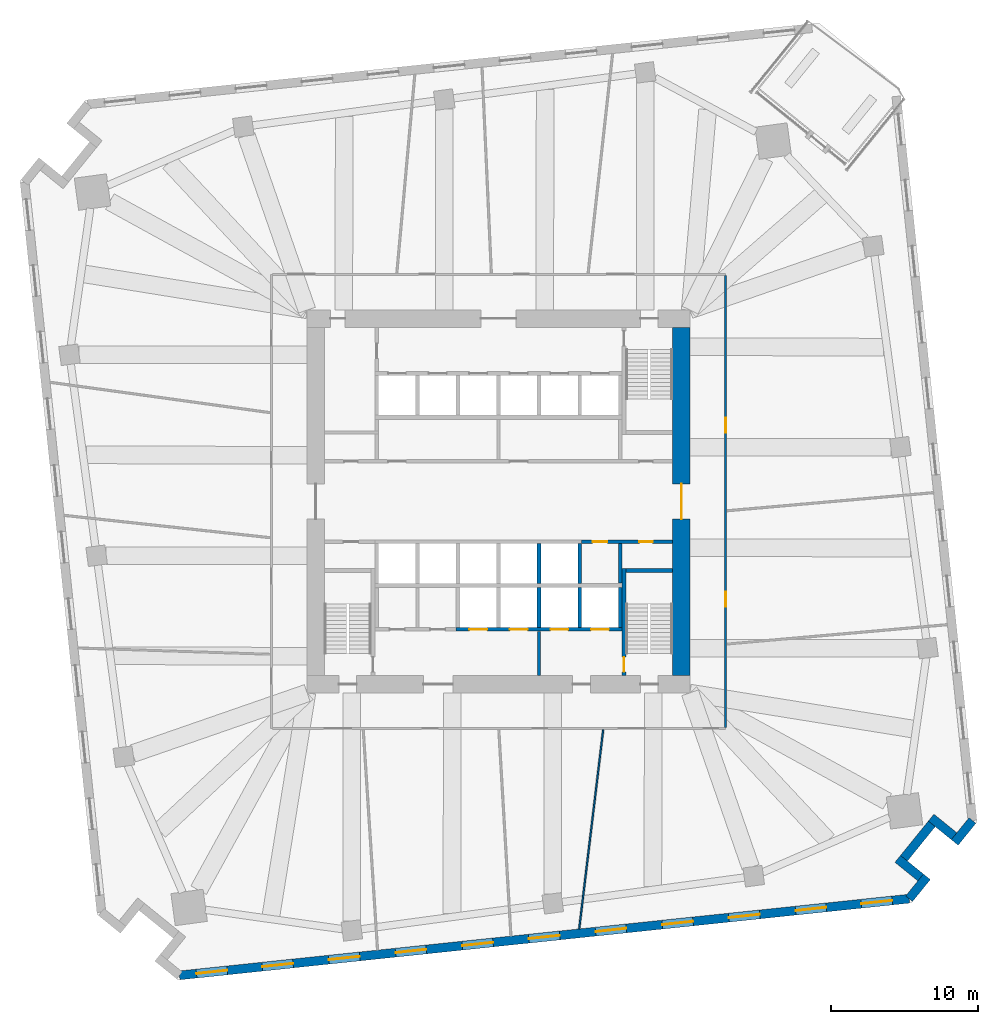
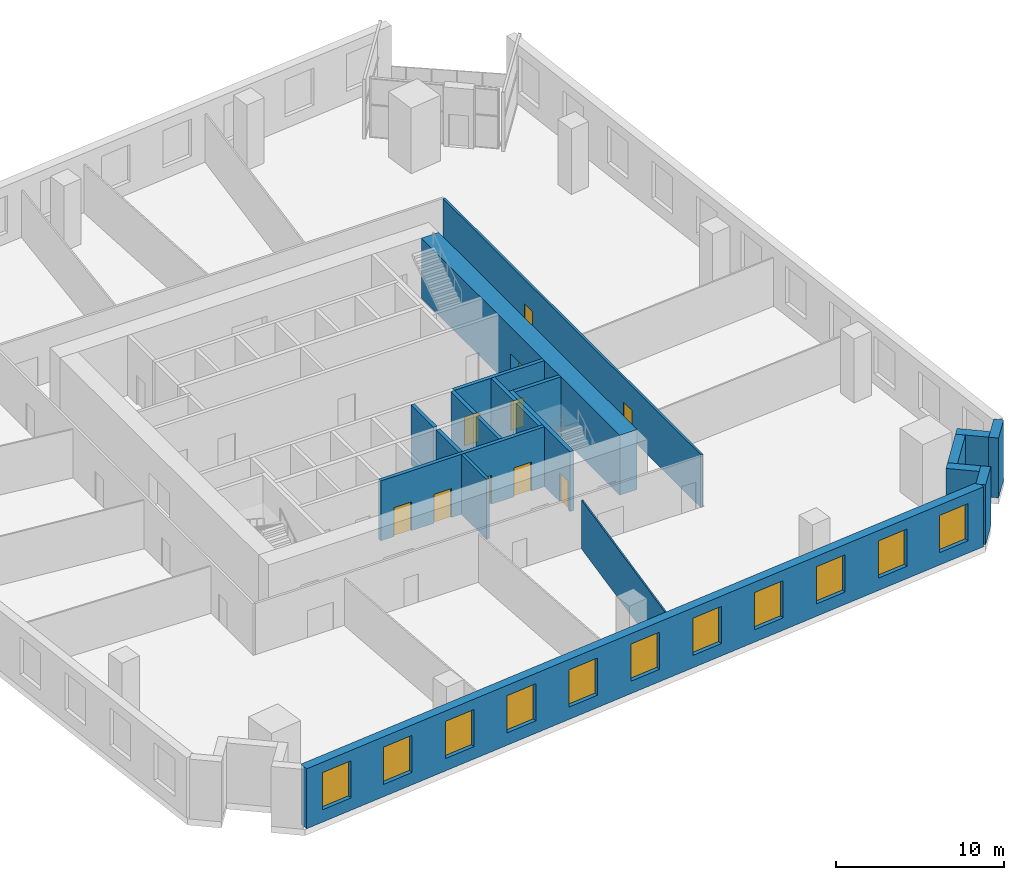
# One storey, part 5 of 10: 20 walls, 11 windows, 10 doors, 21 openings.
"""IFC4 building model written with IfcOpenShell, lengths in metres."""

from ifc_helpers import new_model, si_unit, direction, frame, frame_2d, origin, place, context, subcontext, project, spatial, rectangle, extrude, material, layer, layer_set, type_object, element, fill, save


model = new_model("IFC4")

# Units and contexts
model_context = context("Model", 3, precision=1e-05, world=origin(), true_north=direction((0.0, 1.0)))
body_context = subcontext(model_context, "Body", "Model", "MODEL_VIEW")
ifc_project = project(units=[si_unit("LENGTHUNIT", "METRE"), si_unit("AREAUNIT", "SQUARE_METRE"), si_unit("VOLUMEUNIT", "CUBIC_METRE"), si_unit("PLANEANGLEUNIT", "RADIAN"), si_unit("MASSUNIT", "GRAM", prefix="KILO")], contexts=[model_context])

# Site, building, storey
site_placement = place(None, origin())
site = spatial("IfcSite", under=ifc_project, at=site_placement, CompositionType="ELEMENT")
building_placement = place(site_placement, origin())
building = spatial("IfcBuilding", under=site, at=building_placement, Name="Dilmun Exchange Tower", CompositionType="ELEMENT")
storey_placement = place(building_placement, frame((0.0, 0.0, 41.699951171875)))
storey = spatial("IfcBuildingStorey", under=building, at=storey_placement, Name="L09", CompositionType="ELEMENT", Elevation=41.699951171875)

# Walls
ifc_material_1 = material(Name="Concrete C40/50", Category="concrete")
ifc_layer_1 = layer(ifc_material_1, 0.199951171875)
ifc_layer_set_1 = layer_set([ifc_layer_1], Name="Concrete C40/50")
wall_type_1 = type_object("IfcWallType", Name="Core partition wall 200", PredefinedType="PARTITIONING", material=ifc_layer_set_1)
wall_1_placement = place(storey_placement, frame((2.75, -11.794921875, 0.0), z_axis=(0.0, 0.0, 1.0), x_axis=(0.0, 1.0, 0.0)))
element("IfcWall", 1, at=wall_1_placement, inside=storey, type_object=wall_type_1, Name="L09 core partition wall 01", PredefinedType="PARTITIONING", context=body_context, shape_type="SweptSolid", body=[
    extrude(rectangle(XDim=2.989990234375, YDim=0.199951171875, at=frame_2d((1.4951171875, 0.0))), origin(), (0.0, 0.0, 1.0), 4.35009765625),
])
ifc_layer_2 = layer(ifc_material_1, 0.25)
ifc_layer_set_2 = layer_set([ifc_layer_2], Name="Concrete C40/50")
wall_type_2 = type_object("IfcWallType", Name="Core partition wall 250", PredefinedType="PARTITIONING", material=ifc_layer_set_2)
wall_2_placement = place(storey_placement, frame((8.25, -5.544921875, 0.0), z_axis=(0.0, 0.0, 1.0), x_axis=(0.0, 1.0, 0.0)))
element("IfcWall", 2, at=wall_2_placement, inside=storey, type_object=wall_type_2, Name="L09 core partition wall 05", PredefinedType="PARTITIONING", context=body_context, shape_type="SweptSolid", body=[
    extrude(rectangle(XDim=2.68994140625, YDim=0.25, at=frame_2d((1.344970703125, 0.0))), origin(), (0.0, 0.0, 1.0), 4.35009765625),
])

# Wall, openings, doors
wall_3_placement = place(storey_placement, frame((5.6298828125, -2.72509765625, 0.0), z_axis=(0.0, 0.0, 1.0), x_axis=(1.0, 0.0, 0.0)))
wall_3 = element("IfcWall", 3, at=wall_3_placement, inside=storey, type_object=wall_type_2, Name="L09 core partition wall 07", PredefinedType="PARTITIONING", context=body_context, shape_type="SweptSolid", body=[
    extrude(rectangle(XDim=6.1650390625, YDim=0.25, at=frame_2d((3.08251953125, 0.0))), origin(), (0.0, 0.0, 1.0), 4.35009765625),
])
opening_1_placement = place(wall_3_placement, frame((0.7451171875, 0.0, 0.0)))
opening_1 = element("IfcOpeningElement", 4, at=opening_1_placement, cuts=wall_3, Name="Opening CD4", PredefinedType="OPENING", context=body_context, shape_type="SweptSolid", body=[
    extrude(rectangle(XDim=1.0, YDim=2.10009765625, at=frame_2d((0.5, 1.050048828125))), frame((0.0, 0.135009765625, 0.0), z_axis=(0.0, -1.0, 0.0), x_axis=(1.0, 0.0, 0.0)), (0.0, 0.0, 1.0), 0.27001953125),
])
opening_2_placement = place(wall_3_placement, frame((3.919921875, 0.0, 0.0)))
opening_2 = element("IfcOpeningElement", 5, at=opening_2_placement, cuts=wall_3, Name="Opening CD6", PredefinedType="OPENING", context=body_context, shape_type="SweptSolid", body=[
    extrude(rectangle(XDim=0.89990234375, YDim=2.10009765625, at=frame_2d((0.449951171875, 1.050048828125))), frame((0.0, 0.135009765625, 0.0), z_axis=(0.0, -1.0, 0.0), x_axis=(1.0, 0.0, 0.0)), (0.0, 0.0, 1.0), 0.27001953125),
])
ifc_material_2 = material(Name="Fire-rated steel door set", Category="steel")
door_type_1 = type_object("IfcDoorType", Name="Core room door 1000x2100", OperationType="SINGLE_SWING_LEFT", PredefinedType="DOOR", material=ifc_material_2)
door_1_placement = place(opening_1_placement, origin())
door_1 = element("IfcDoor", 6, at=door_1_placement, inside=storey, type_object=door_type_1, Name="L09 door Cleaners' store", OperationType="SINGLE_SWING_RIGHT", OverallHeight=2.10009765625, OverallWidth=1.0, PredefinedType="DOOR", context=body_context, shape_type="SweptSolid", body=[
    extrude(rectangle(XDim=1.0, YDim=2.10009765625, at=frame_2d((0.5, 1.050048828125))), frame((0.0, 0.02490234375, 0.0), z_axis=(0.0, -1.0, 0.0), x_axis=(1.0, 0.0, 0.0)), (0.0, 0.0, 1.0), 0.050048828125),
])
fill(opening_1, door_1)
door_type_2 = type_object("IfcDoorType", Name="Core room door 900x2100", OperationType="SINGLE_SWING_LEFT", PredefinedType="DOOR", material=ifc_material_2)
door_2_placement = place(opening_2_placement, origin())
door_2 = element("IfcDoor", 7, at=door_2_placement, inside=storey, type_object=door_type_2, Name="L09 door Comms riser", OperationType="SINGLE_SWING_RIGHT", OverallHeight=2.10009765625, OverallWidth=0.89990234375, PredefinedType="DOOR", context=body_context, shape_type="SweptSolid", body=[
    extrude(rectangle(XDim=0.89990234375, YDim=2.10009765625, at=frame_2d((0.449951171875, 1.050048828125))), frame((0.0, 0.02490234375, 0.0), z_axis=(0.0, -1.0, 0.0), x_axis=(1.0, 0.0, 0.0)), (0.0, 0.0, 1.0), 0.050048828125),
])
fill(opening_2, door_2)

# Wall, opening, door
ifc_material_3 = material(Name="Concrete C80/95", Category="concrete")
ifc_layer_3 = layer(ifc_material_3, 1.199951171875)
ifc_layer_set_3 = layer_set([ifc_layer_3], Name="Concrete C80/95")
wall_type_3 = type_object("IfcWallType", Name="Core shear wall 1200 Concrete C80/95", PredefinedType="SHEAR", material=ifc_layer_set_3)
wall_4_placement = place(storey_placement, frame((12.39990234375, -11.800048828125, 0.0), z_axis=(0.0, 0.0, 1.0), x_axis=(0.0, 1.0, 0.0)))
wall_4 = element("IfcWall", 8, at=wall_4_placement, inside=storey, type_object=wall_type_3, Name="L09 core shear wall E", PredefinedType="SHEAR", context=body_context, shape_type="SweptSolid", body=[
    extrude(rectangle(XDim=23.60009765625, YDim=1.199951171875, at=frame_2d((11.800048828125, 0.0))), origin(), (0.0, 0.0, 1.0), 4.35009765625),
])
opening_3_placement = place(wall_4_placement, frame((10.60009765625, 0.0, 0.0)))
opening_3 = element("IfcOpeningElement", 9, at=opening_3_placement, cuts=wall_4, Name="Opening CD1", PredefinedType="OPENING", context=body_context, shape_type="SweptSolid", body=[
    extrude(rectangle(XDim=2.39990234375, YDim=2.39990234375, at=frame_2d((1.199951171875, 1.199951171875))), frame((0.0, 0.60986328125, 0.0), z_axis=(0.0, -1.0, 0.0), x_axis=(1.0, 0.0, 0.0)), (0.0, 0.0, 1.0), 1.219970703125),
])
door_type_3 = type_object("IfcDoorType", Name="Core lobby door 2400x2400", OperationType="DOUBLE_DOOR_DOUBLE_SWING", PredefinedType="DOOR", material=ifc_material_2)
door_3_placement = place(opening_3_placement, origin())
door_3 = element("IfcDoor", 10, at=door_3_placement, inside=storey, type_object=door_type_3, Name="L09 door Central lift lobby", OperationType="SINGLE_SWING_LEFT", OverallHeight=2.39990234375, OverallWidth=2.39990234375, PredefinedType="DOOR", context=body_context, shape_type="SweptSolid", body=[
    extrude(rectangle(XDim=2.39990234375, YDim=2.39990234375, at=frame_2d((1.199951171875, 1.199951171875))), frame((0.0, 0.02490234375, 0.0), z_axis=(0.0, -1.0, 0.0), x_axis=(1.0, 0.0, 0.0)), (0.0, 0.0, 1.0), 0.050048828125),
])
fill(opening_3, door_3)

# Wall, openings, doors
ifc_material_4 = material(Name="Corridor wall 150")
ifc_layer_4 = layer(ifc_material_4, 0.14990234375)
ifc_layer_set_4 = layer_set([ifc_layer_4], Name="Corridor wall 150")
wall_type_4 = type_object("IfcWallType", Name="Corridor wall 150", PredefinedType="PARTITIONING", material=ifc_layer_set_4)
wall_5_placement = place(storey_placement, frame((15.39990234375, -15.324951171875, 0.0), z_axis=(0.0, 0.0, 1.0), x_axis=(0.0, 1.0, 0.0)))
wall_5 = element("IfcWall", 11, at=wall_5_placement, inside=storey, type_object=wall_type_4, Name="Corridor wall", PredefinedType="PARTITIONING", context=body_context, shape_type="SweptSolid", body=[
    extrude(rectangle(XDim=30.64990234375, YDim=0.14990234375, at=frame_2d((15.324951171875, 0.0))), origin(), (0.0, 0.0, 1.0), 3.85009765625),
])
opening_4_placement = place(wall_5_placement, frame((19.985595703125, 0.0, 0.0)))
opening_4 = element("IfcOpeningElement", 12, at=opening_4_placement, cuts=wall_5, Name="Opening TF08-D12", PredefinedType="OPENING", context=body_context, shape_type="SweptSolid", body=[
    extrude(rectangle(XDim=1.0, YDim=2.10009765625, at=frame_2d((0.5, 1.050048828125))), frame((0.0, 0.0849609375, 0.0), z_axis=(0.0, -1.0, 0.0), x_axis=(1.0, 0.0, 0.0)), (0.0, 0.0, 1.0), 0.169921875),
])
opening_5_placement = place(wall_5_placement, frame((8.197021484375, 0.0, 0.0)))
opening_5 = element("IfcOpeningElement", 13, at=opening_5_placement, cuts=wall_5, Name="Opening TF08-D15", PredefinedType="OPENING", context=body_context, shape_type="SweptSolid", body=[
    extrude(rectangle(XDim=1.0, YDim=2.10009765625, at=frame_2d((0.5, 1.050048828125))), frame((0.0, 0.0849609375, 0.0), z_axis=(0.0, -1.0, 0.0), x_axis=(1.0, 0.0, 0.0)), (0.0, 0.0, 1.0), 0.169921875),
])
ifc_material_5 = material(Name="Fire door 1000 x 2100")
door_type_4 = type_object("IfcDoorType", Name="Fire door 1000 x 2100", OperationType="NOTDEFINED", PredefinedType="DOOR", material=ifc_material_5)
door_4_placement = place(opening_4_placement, frame((1.0, 0.0, 0.0), z_axis=(0.0, 0.0, 1.0), x_axis=(-1.0, 0.0, 0.0)))
door_4 = element("IfcDoor", 14, at=door_4_placement, inside=storey, type_object=door_type_4, Name="Door TF08-D12", OperationType="SINGLE_SWING_RIGHT", OverallHeight=2.10009765625, OverallWidth=1.0, PredefinedType="DOOR", context=body_context, shape_type="SweptSolid", body=[
    extrude(rectangle(XDim=1.0, YDim=2.10009765625, at=frame_2d((0.5, 1.050048828125))), frame((0.0, 0.02490234375, 0.0), z_axis=(0.0, -1.0, 0.0), x_axis=(1.0, 0.0, 0.0)), (0.0, 0.0, 1.0), 0.050048828125),
])
fill(opening_4, door_4)
door_5_placement = place(opening_5_placement, frame((1.0, 0.0, 0.0), z_axis=(0.0, 0.0, 1.0), x_axis=(-1.0, 0.0, 0.0)))
door_5 = element("IfcDoor", 15, at=door_5_placement, inside=storey, type_object=door_type_4, Name="Door TF08-D15", OperationType="SINGLE_SWING_LEFT", OverallHeight=2.10009765625, OverallWidth=1.0, PredefinedType="DOOR", context=body_context, shape_type="SweptSolid", body=[
    extrude(rectangle(XDim=1.0, YDim=2.10009765625, at=frame_2d((0.5, 1.050048828125))), frame((0.0, 0.02490234375, 0.0), z_axis=(0.0, -1.0, 0.0), x_axis=(1.0, 0.0, 0.0)), (0.0, 0.0, 1.0), 0.050048828125),
])
fill(opening_5, door_5)

# Walls
ifc_layer_5 = layer(ifc_material_1, 0.25)
ifc_layer_set_5 = layer_set([ifc_layer_5], Name="Concrete C40/50")
wall_type_5 = type_object("IfcWallType", Name="Lift shaft wall 250", PredefinedType="SOLIDWALL", material=ifc_layer_set_5)
for number, where, z_axis, x_axis, name in (
    (16, (2.75, -5.550048828125, 0.0), (0.0, 0.0, 1.0), (0.0, 1.0, 0.0), "L09 lift shaft divider S14"),
    (17, (5.5, -5.550048828125, 0.0), (0.0, 0.0, 1.0), (0.0, 1.0, 0.0), "L09 lift shaft divider S15"),
):
    element("IfcWall", number, at=place(storey_placement, frame(where, z_axis=z_axis, x_axis=x_axis)), inside=storey, type_object=wall_type_5, Name=name, PredefinedType="SOLIDWALL", context=body_context, shape_type="SweptSolid", body=[
        extrude(rectangle(XDim=2.699951171875, YDim=0.25, at=frame_2d((1.35009765625, 0.0))), origin(), (0.0, 0.0, 1.0), 4.35009765625),
    ])

# Wall, openings, doors
wall_6_placement = place(storey_placement, frame((-2.875, -8.675048828125, 0.0), z_axis=(0.0, 0.0, 1.0), x_axis=(1.0, 0.0, 0.0)))
wall_6 = element("IfcWall", 18, at=wall_6_placement, inside=storey, type_object=wall_type_5, Name="L09 lift shaft front wall S2", PredefinedType="SOLIDWALL", context=body_context, shape_type="SweptSolid", body=[
    extrude(rectangle(XDim=11.25, YDim=0.25, at=frame_2d((5.625, 0.0))), origin(), (0.0, 0.0, 1.0), 4.35009765625),
])
opening_6_placement = place(wall_6_placement, frame((0.89990234375, 0.0, 0.0)))
opening_6 = element("IfcOpeningElement", 19, at=opening_6_placement, cuts=wall_6, Name="Opening LD", PredefinedType="OPENING", context=body_context, shape_type="SweptSolid", body=[
    extrude(rectangle(XDim=1.199951171875, YDim=2.10009765625, at=frame_2d((0.60009765625, 1.050048828125))), frame((0.0, 0.135009765625, 0.0), z_axis=(0.0, -1.0, 0.0), x_axis=(1.0, 0.0, 0.0)), (0.0, 0.0, 1.0), 0.27001953125),
])
opening_7_placement = place(wall_6_placement, frame((3.64990234375, 0.0, 0.0)))
opening_7 = element("IfcOpeningElement", 20, at=opening_7_placement, cuts=wall_6, Name="Opening LD", PredefinedType="OPENING", context=body_context, shape_type="SweptSolid", body=[
    extrude(rectangle(XDim=1.199951171875, YDim=2.10009765625, at=frame_2d((0.60009765625, 1.050048828125))), frame((0.0, 0.135009765625, 0.0), z_axis=(0.0, -1.0, 0.0), x_axis=(1.0, 0.0, 0.0)), (0.0, 0.0, 1.0), 0.27001953125),
])
opening_8_placement = place(wall_6_placement, frame((6.39990234375, 0.0, 0.0)))
opening_8 = element("IfcOpeningElement", 21, at=opening_8_placement, cuts=wall_6, Name="Opening LD", PredefinedType="OPENING", context=body_context, shape_type="SweptSolid", body=[
    extrude(rectangle(XDim=1.199951171875, YDim=2.10009765625, at=frame_2d((0.60009765625, 1.050048828125))), frame((0.0, 0.135009765625, 0.0), z_axis=(0.0, -1.0, 0.0), x_axis=(1.0, 0.0, 0.0)), (0.0, 0.0, 1.0), 0.27001953125),
])
opening_9_placement = place(wall_6_placement, frame((9.14990234375, 0.0, 0.0)))
opening_9 = element("IfcOpeningElement", 22, at=opening_9_placement, cuts=wall_6, Name="Opening LD", PredefinedType="OPENING", context=body_context, shape_type="SweptSolid", body=[
    extrude(rectangle(XDim=1.199951171875, YDim=2.10009765625, at=frame_2d((0.60009765625, 1.050048828125))), frame((0.0, 0.135009765625, 0.0), z_axis=(0.0, -1.0, 0.0), x_axis=(1.0, 0.0, 0.0)), (0.0, 0.0, 1.0), 0.27001953125),
])
door_type_5 = type_object("IfcDoorType", Name="Lift landing door 1200x2100", OperationType="DOUBLE_DOOR_SLIDING", PredefinedType="DOOR", material=ifc_material_2)
door_6_placement = place(opening_6_placement, origin())
door_6 = element("IfcDoor", 23, at=door_6_placement, inside=storey, type_object=door_type_5, Name="L09 landing door SV1", OperationType="DOUBLE_DOOR_SLIDING", OverallHeight=2.10009765625, OverallWidth=1.199951171875, PredefinedType="DOOR", context=body_context, shape_type="SweptSolid", body=[
    extrude(rectangle(XDim=1.199951171875, YDim=2.10009765625, at=frame_2d((0.60009765625, 1.050048828125))), frame((0.0, 0.02490234375, 0.0), z_axis=(0.0, -1.0, 0.0), x_axis=(1.0, 0.0, 0.0)), (0.0, 0.0, 1.0), 0.050048828125),
])
fill(opening_6, door_6)
door_7_placement = place(opening_7_placement, origin())
door_7 = element("IfcDoor", 24, at=door_7_placement, inside=storey, type_object=door_type_5, Name="L09 landing door SV2", OperationType="DOUBLE_DOOR_SLIDING", OverallHeight=2.10009765625, OverallWidth=1.199951171875, PredefinedType="DOOR", context=body_context, shape_type="SweptSolid", body=[
    extrude(rectangle(XDim=1.199951171875, YDim=2.10009765625, at=frame_2d((0.60009765625, 1.050048828125))), frame((0.0, 0.02490234375, 0.0), z_axis=(0.0, -1.0, 0.0), x_axis=(1.0, 0.0, 0.0)), (0.0, 0.0, 1.0), 0.050048828125),
])
fill(opening_7, door_7)
door_8_placement = place(opening_8_placement, origin())
door_8 = element("IfcDoor", 25, at=door_8_placement, inside=storey, type_object=door_type_5, Name="L09 landing door FF1", OperationType="DOUBLE_DOOR_SLIDING", OverallHeight=2.10009765625, OverallWidth=1.199951171875, PredefinedType="DOOR", context=body_context, shape_type="SweptSolid", body=[
    extrude(rectangle(XDim=1.199951171875, YDim=2.10009765625, at=frame_2d((0.60009765625, 1.050048828125))), frame((0.0, 0.02490234375, 0.0), z_axis=(0.0, -1.0, 0.0), x_axis=(1.0, 0.0, 0.0)), (0.0, 0.0, 1.0), 0.050048828125),
])
fill(opening_8, door_8)
door_9_placement = place(opening_9_placement, origin())
door_9 = element("IfcDoor", 26, at=door_9_placement, inside=storey, type_object=door_type_5, Name="L09 landing door FF2", OperationType="DOUBLE_DOOR_SLIDING", OverallHeight=2.10009765625, OverallWidth=1.199951171875, PredefinedType="DOOR", context=body_context, shape_type="SweptSolid", body=[
    extrude(rectangle(XDim=1.199951171875, YDim=2.10009765625, at=frame_2d((0.60009765625, 1.050048828125))), frame((0.0, 0.02490234375, 0.0), z_axis=(0.0, -1.0, 0.0), x_axis=(1.0, 0.0, 0.0)), (0.0, 0.0, 1.0), 0.050048828125),
])
fill(opening_9, door_9)

# Walls
for number, where, z_axis, x_axis, name in (
    (27, (2.75, -8.550048828125, 0.0), (0.0, 0.0, 1.0), (0.0, 1.0, 0.0), "L09 lift shaft divider S24"),
    (28, (5.5, -8.550048828125, 0.0), (0.0, 0.0, 1.0), (0.0, 1.0, 0.0), "L09 lift shaft divider S25"),
    (29, (8.25, -8.550048828125, 0.0), (0.0, 0.0, 1.0), (0.0, 1.0, 0.0), "L09 lift shaft divider S26"),
):
    element("IfcWall", number, at=place(storey_placement, frame(where, z_axis=z_axis, x_axis=x_axis)), inside=storey, type_object=wall_type_5, Name=name, PredefinedType="SOLIDWALL", context=body_context, shape_type="SweptSolid", body=[
        extrude(rectangle(XDim=2.699951171875, YDim=0.25, at=frame_2d((1.35009765625, 0.0))), origin(), (0.0, 0.0, 1.0), 4.35009765625),
    ])
ifc_material_6 = material(Name="Partition 100")
ifc_layer_6 = layer(ifc_material_6, 0.10009765625)
ifc_layer_set_6 = layer_set([ifc_layer_6], Name="Partition 100")
wall_type_6 = type_object("IfcWallType", Name="Partition 100", PredefinedType="PARTITIONING", material=ifc_layer_set_6)
wall_7_placement = place(storey_placement, frame((5.468994140625, -28.985107421875, 0.0), z_axis=(0.0, 0.0, 1.0), x_axis=(0.119701505931, 0.992809926158, 0.0)))
element("IfcWall", 30, at=wall_7_placement, inside=storey, type_object=wall_type_6, Name="Partition", PredefinedType="PARTITIONING", context=body_context, shape_type="SweptSolid", body=[
    extrude(rectangle(XDim=13.60205078125, YDim=0.10009765625, at=frame_2d((6.801025390625, 0.0))), origin(), (0.0, 0.0, 1.0), 3.550048828125),
])

# Wall, openings, windows
ifc_material_7 = material(Name="Precast concrete C50/60", Category="concrete")
ifc_layer_7 = layer(ifc_material_7, 0.60009765625)
ifc_layer_set_7 = layer_set([ifc_layer_7], Name="Precast concrete C50/60")
wall_type_7 = type_object("IfcWallType", Name="Precast stone-clad wall 600", PredefinedType="STANDARD", material=ifc_layer_set_7)
wall_8_placement = place(storey_placement, frame((-21.635009765625, -32.137451171875, 0.0), z_axis=(0.0, 0.0, 1.0), x_axis=(0.994521923397, 0.104528196591, 0.0)))
wall_8 = element("IfcWall", 31, at=wall_8_placement, inside=storey, type_object=wall_type_7, Name="Facade wall L09-15", PredefinedType="STANDARD", context=body_context, shape_type="SweptSolid", body=[
    extrude(rectangle(XDim=49.75146484375, YDim=0.60009765625, at=frame_2d((24.875732421875, 0.0))), origin(), (0.0, 0.0, 1.0), 4.35009765625),
])
opening_10_placement = place(wall_8_placement, frame((1.16064453125, 0.0, 0.89990234375)))
opening_10 = element("IfcOpeningElement", 32, at=opening_10_placement, cuts=wall_8, Name="Opening W210-270", PredefinedType="OPENING", context=body_context, shape_type="SweptSolid", body=[
    extrude(rectangle(XDim=2.10009765625, YDim=2.699951171875, at=frame_2d((1.050048828125, 1.35009765625))), frame((0.0, 0.31005859375, 0.0), z_axis=(0.0, -1.0, 0.0), x_axis=(1.0, 0.0, 0.0)), (0.0, 0.0, 1.0), 0.6201171875),
])
opening_11_placement = place(wall_8_placement, frame((5.643798828125, 0.0, 0.89990234375)))
opening_11 = element("IfcOpeningElement", 33, at=opening_11_placement, cuts=wall_8, Name="Opening W210-270", PredefinedType="OPENING", context=body_context, shape_type="SweptSolid", body=[
    extrude(rectangle(XDim=2.10009765625, YDim=2.699951171875, at=frame_2d((1.050048828125, 1.35009765625))), frame((0.0, 0.31005859375, 0.0), z_axis=(0.0, -1.0, 0.0), x_axis=(1.0, 0.0, 0.0)), (0.0, 0.0, 1.0), 0.6201171875),
])
opening_12_placement = place(wall_8_placement, frame((10.189453125, 0.0, 0.89990234375)))
opening_12 = element("IfcOpeningElement", 34, at=opening_12_placement, cuts=wall_8, Name="Opening W210-270", PredefinedType="OPENING", context=body_context, shape_type="SweptSolid", body=[
    extrude(rectangle(XDim=2.10009765625, YDim=2.699951171875, at=frame_2d((1.050048828125, 1.35009765625))), frame((0.0, 0.31005859375, 0.0), z_axis=(0.0, -1.0, 0.0), x_axis=(1.0, 0.0, 0.0)), (0.0, 0.0, 1.0), 0.6201171875),
])
opening_13_placement = place(wall_8_placement, frame((14.73486328125, 0.0, 0.89990234375)))
opening_13 = element("IfcOpeningElement", 35, at=opening_13_placement, cuts=wall_8, Name="Opening W210-270", PredefinedType="OPENING", context=body_context, shape_type="SweptSolid", body=[
    extrude(rectangle(XDim=2.10009765625, YDim=2.699951171875, at=frame_2d((1.050048828125, 1.35009765625))), frame((0.0, 0.31005859375, 0.0), z_axis=(0.0, -1.0, 0.0), x_axis=(1.0, 0.0, 0.0)), (0.0, 0.0, 1.0), 0.6201171875),
])
opening_14_placement = place(wall_8_placement, frame((19.2802734375, 0.0, 0.89990234375)))
opening_14 = element("IfcOpeningElement", 36, at=opening_14_placement, cuts=wall_8, Name="Opening W210-270", PredefinedType="OPENING", context=body_context, shape_type="SweptSolid", body=[
    extrude(rectangle(XDim=2.10009765625, YDim=2.699951171875, at=frame_2d((1.050048828125, 1.35009765625))), frame((0.0, 0.31005859375, 0.0), z_axis=(0.0, -1.0, 0.0), x_axis=(1.0, 0.0, 0.0)), (0.0, 0.0, 1.0), 0.6201171875),
])
opening_15_placement = place(wall_8_placement, frame((23.82568359375, 0.0, 0.89990234375)))
opening_15 = element("IfcOpeningElement", 37, at=opening_15_placement, cuts=wall_8, Name="Opening W210-270", PredefinedType="OPENING", context=body_context, shape_type="SweptSolid", body=[
    extrude(rectangle(XDim=2.10009765625, YDim=2.699951171875, at=frame_2d((1.050048828125, 1.35009765625))), frame((0.0, 0.31005859375, 0.0), z_axis=(0.0, -1.0, 0.0), x_axis=(1.0, 0.0, 0.0)), (0.0, 0.0, 1.0), 0.6201171875),
])
opening_16_placement = place(wall_8_placement, frame((28.37109375, 0.0, 0.89990234375)))
opening_16 = element("IfcOpeningElement", 38, at=opening_16_placement, cuts=wall_8, Name="Opening W210-270", PredefinedType="OPENING", context=body_context, shape_type="SweptSolid", body=[
    extrude(rectangle(XDim=2.10009765625, YDim=2.699951171875, at=frame_2d((1.050048828125, 1.35009765625))), frame((0.0, 0.31005859375, 0.0), z_axis=(0.0, -1.0, 0.0), x_axis=(1.0, 0.0, 0.0)), (0.0, 0.0, 1.0), 0.6201171875),
])
opening_17_placement = place(wall_8_placement, frame((32.91650390625, 0.0, 0.89990234375)))
opening_17 = element("IfcOpeningElement", 39, at=opening_17_placement, cuts=wall_8, Name="Opening W210-270", PredefinedType="OPENING", context=body_context, shape_type="SweptSolid", body=[
    extrude(rectangle(XDim=2.10009765625, YDim=2.699951171875, at=frame_2d((1.050048828125, 1.35009765625))), frame((0.0, 0.31005859375, 0.0), z_axis=(0.0, -1.0, 0.0), x_axis=(1.0, 0.0, 0.0)), (0.0, 0.0, 1.0), 0.6201171875),
])
opening_18_placement = place(wall_8_placement, frame((37.462158203125, 0.0, 0.89990234375)))
opening_18 = element("IfcOpeningElement", 40, at=opening_18_placement, cuts=wall_8, Name="Opening W210-270", PredefinedType="OPENING", context=body_context, shape_type="SweptSolid", body=[
    extrude(rectangle(XDim=2.10009765625, YDim=2.699951171875, at=frame_2d((1.050048828125, 1.35009765625))), frame((0.0, 0.31005859375, 0.0), z_axis=(0.0, -1.0, 0.0), x_axis=(1.0, 0.0, 0.0)), (0.0, 0.0, 1.0), 0.6201171875),
])
opening_19_placement = place(wall_8_placement, frame((42.007568359375, 0.0, 0.89990234375)))
opening_19 = element("IfcOpeningElement", 41, at=opening_19_placement, cuts=wall_8, Name="Opening W210-270", PredefinedType="OPENING", context=body_context, shape_type="SweptSolid", body=[
    extrude(rectangle(XDim=2.10009765625, YDim=2.699951171875, at=frame_2d((1.050048828125, 1.35009765625))), frame((0.0, 0.31005859375, 0.0), z_axis=(0.0, -1.0, 0.0), x_axis=(1.0, 0.0, 0.0)), (0.0, 0.0, 1.0), 0.6201171875),
])
opening_20_placement = place(wall_8_placement, frame((46.490966796875, 0.0, 0.89990234375)))
opening_20 = element("IfcOpeningElement", 42, at=opening_20_placement, cuts=wall_8, Name="Opening W210-270", PredefinedType="OPENING", context=body_context, shape_type="SweptSolid", body=[
    extrude(rectangle(XDim=2.10009765625, YDim=2.699951171875, at=frame_2d((1.050048828125, 1.35009765625))), frame((0.0, 0.31005859375, 0.0), z_axis=(0.0, -1.0, 0.0), x_axis=(1.0, 0.0, 0.0)), (0.0, 0.0, 1.0), 0.6201171875),
])
ifc_material_8 = material(Name="Clear low-emissivity glass in aluminium frame", Category="aluminium")
window_type = type_object("IfcWindowType", Name="Punched window 2100 x 2700", PartitioningType="DOUBLE_PANEL_VERTICAL", PredefinedType="WINDOW", material=ifc_material_8)
window_1_placement = place(opening_10_placement, origin())
window_1 = element("IfcWindow", 43, at=window_1_placement, inside=storey, type_object=window_type, Name="Window 16.1", OverallHeight=2.699951171875, OverallWidth=2.10009765625, PartitioningType="SINGLE_PANEL", PredefinedType="WINDOW", context=body_context, shape_type="SweptSolid", body=[
    extrude(rectangle(XDim=2.10009765625, YDim=2.699951171875, at=frame_2d((1.050048828125, 1.35009765625))), frame((0.0, 0.030029296875, 0.0), z_axis=(0.0, -1.0, 0.0), x_axis=(1.0, 0.0, 0.0)), (0.0, 0.0, 1.0), 0.06005859375),
])
fill(opening_10, window_1)
window_2_placement = place(opening_11_placement, origin())
window_2 = element("IfcWindow", 44, at=window_2_placement, inside=storey, type_object=window_type, Name="Window 16.2", OverallHeight=2.699951171875, OverallWidth=2.10009765625, PartitioningType="SINGLE_PANEL", PredefinedType="WINDOW", context=body_context, shape_type="SweptSolid", body=[
    extrude(rectangle(XDim=2.10009765625, YDim=2.699951171875, at=frame_2d((1.050048828125, 1.35009765625))), frame((0.0, 0.030029296875, 0.0), z_axis=(0.0, -1.0, 0.0), x_axis=(1.0, 0.0, 0.0)), (0.0, 0.0, 1.0), 0.06005859375),
])
fill(opening_11, window_2)
window_3_placement = place(opening_12_placement, origin())
window_3 = element("IfcWindow", 45, at=window_3_placement, inside=storey, type_object=window_type, Name="Window 16.3", OverallHeight=2.699951171875, OverallWidth=2.10009765625, PartitioningType="SINGLE_PANEL", PredefinedType="WINDOW", context=body_context, shape_type="SweptSolid", body=[
    extrude(rectangle(XDim=2.10009765625, YDim=2.699951171875, at=frame_2d((1.050048828125, 1.35009765625))), frame((0.0, 0.030029296875, 0.0), z_axis=(0.0, -1.0, 0.0), x_axis=(1.0, 0.0, 0.0)), (0.0, 0.0, 1.0), 0.06005859375),
])
fill(opening_12, window_3)
window_4_placement = place(opening_13_placement, origin())
window_4 = element("IfcWindow", 46, at=window_4_placement, inside=storey, type_object=window_type, Name="Window 16.4", OverallHeight=2.699951171875, OverallWidth=2.10009765625, PartitioningType="SINGLE_PANEL", PredefinedType="WINDOW", context=body_context, shape_type="SweptSolid", body=[
    extrude(rectangle(XDim=2.10009765625, YDim=2.699951171875, at=frame_2d((1.050048828125, 1.35009765625))), frame((0.0, 0.030029296875, 0.0), z_axis=(0.0, -1.0, 0.0), x_axis=(1.0, 0.0, 0.0)), (0.0, 0.0, 1.0), 0.06005859375),
])
fill(opening_13, window_4)
window_5_placement = place(opening_14_placement, origin())
window_5 = element("IfcWindow", 47, at=window_5_placement, inside=storey, type_object=window_type, Name="Window 16.5", OverallHeight=2.699951171875, OverallWidth=2.10009765625, PartitioningType="SINGLE_PANEL", PredefinedType="WINDOW", context=body_context, shape_type="SweptSolid", body=[
    extrude(rectangle(XDim=2.10009765625, YDim=2.699951171875, at=frame_2d((1.050048828125, 1.35009765625))), frame((0.0, 0.030029296875, 0.0), z_axis=(0.0, -1.0, 0.0), x_axis=(1.0, 0.0, 0.0)), (0.0, 0.0, 1.0), 0.06005859375),
])
fill(opening_14, window_5)
window_6_placement = place(opening_15_placement, origin())
window_6 = element("IfcWindow", 48, at=window_6_placement, inside=storey, type_object=window_type, Name="Window 16.6", OverallHeight=2.699951171875, OverallWidth=2.10009765625, PartitioningType="SINGLE_PANEL", PredefinedType="WINDOW", context=body_context, shape_type="SweptSolid", body=[
    extrude(rectangle(XDim=2.10009765625, YDim=2.699951171875, at=frame_2d((1.050048828125, 1.35009765625))), frame((0.0, 0.030029296875, 0.0), z_axis=(0.0, -1.0, 0.0), x_axis=(1.0, 0.0, 0.0)), (0.0, 0.0, 1.0), 0.06005859375),
])
fill(opening_15, window_6)
window_7_placement = place(opening_16_placement, origin())
window_7 = element("IfcWindow", 49, at=window_7_placement, inside=storey, type_object=window_type, Name="Window 16.7", OverallHeight=2.699951171875, OverallWidth=2.10009765625, PartitioningType="SINGLE_PANEL", PredefinedType="WINDOW", context=body_context, shape_type="SweptSolid", body=[
    extrude(rectangle(XDim=2.10009765625, YDim=2.699951171875, at=frame_2d((1.050048828125, 1.35009765625))), frame((0.0, 0.030029296875, 0.0), z_axis=(0.0, -1.0, 0.0), x_axis=(1.0, 0.0, 0.0)), (0.0, 0.0, 1.0), 0.06005859375),
])
fill(opening_16, window_7)
window_8_placement = place(opening_17_placement, origin())
window_8 = element("IfcWindow", 50, at=window_8_placement, inside=storey, type_object=window_type, Name="Window 16.8", OverallHeight=2.699951171875, OverallWidth=2.10009765625, PartitioningType="SINGLE_PANEL", PredefinedType="WINDOW", context=body_context, shape_type="SweptSolid", body=[
    extrude(rectangle(XDim=2.10009765625, YDim=2.699951171875, at=frame_2d((1.050048828125, 1.35009765625))), frame((0.0, 0.030029296875, 0.0), z_axis=(0.0, -1.0, 0.0), x_axis=(1.0, 0.0, 0.0)), (0.0, 0.0, 1.0), 0.06005859375),
])
fill(opening_17, window_8)
window_9_placement = place(opening_18_placement, origin())
window_9 = element("IfcWindow", 51, at=window_9_placement, inside=storey, type_object=window_type, Name="Window 16.9", OverallHeight=2.699951171875, OverallWidth=2.10009765625, PartitioningType="SINGLE_PANEL", PredefinedType="WINDOW", context=body_context, shape_type="SweptSolid", body=[
    extrude(rectangle(XDim=2.10009765625, YDim=2.699951171875, at=frame_2d((1.050048828125, 1.35009765625))), frame((0.0, 0.030029296875, 0.0), z_axis=(0.0, -1.0, 0.0), x_axis=(1.0, 0.0, 0.0)), (0.0, 0.0, 1.0), 0.06005859375),
])
fill(opening_18, window_9)
window_10_placement = place(opening_19_placement, origin())
window_10 = element("IfcWindow", 52, at=window_10_placement, inside=storey, type_object=window_type, Name="Window 16.10", OverallHeight=2.699951171875, OverallWidth=2.10009765625, PartitioningType="SINGLE_PANEL", PredefinedType="WINDOW", context=body_context, shape_type="SweptSolid", body=[
    extrude(rectangle(XDim=2.10009765625, YDim=2.699951171875, at=frame_2d((1.050048828125, 1.35009765625))), frame((0.0, 0.030029296875, 0.0), z_axis=(0.0, -1.0, 0.0), x_axis=(1.0, 0.0, 0.0)), (0.0, 0.0, 1.0), 0.06005859375),
])
fill(opening_19, window_10)
window_11_placement = place(opening_20_placement, origin())
window_11 = element("IfcWindow", 53, at=window_11_placement, inside=storey, type_object=window_type, Name="Window 16.11", OverallHeight=2.699951171875, OverallWidth=2.10009765625, PartitioningType="SINGLE_PANEL", PredefinedType="WINDOW", context=body_context, shape_type="SweptSolid", body=[
    extrude(rectangle(XDim=2.10009765625, YDim=2.699951171875, at=frame_2d((1.050048828125, 1.35009765625))), frame((0.0, 0.030029296875, 0.0), z_axis=(0.0, -1.0, 0.0), x_axis=(1.0, 0.0, 0.0)), (0.0, 0.0, 1.0), 0.06005859375),
])
fill(opening_20, window_11)

# Walls
wall_9_placement = place(storey_placement, frame((27.843994140625, -26.93701171875, 0.0), z_axis=(0.0, 0.0, 1.0), x_axis=(0.629341524136, 0.777128847746, 0.0)))
element("IfcWall", 54, at=wall_9_placement, inside=storey, type_object=wall_type_7, Name="Facade wall L09-16", PredefinedType="STANDARD", context=body_context, shape_type="SweptSolid", body=[
    extrude(rectangle(XDim=1.911376953125, YDim=0.60009765625, at=frame_2d((0.95556640625, 0.0))), origin(), (0.0, 0.0, 1.0), 4.35009765625),
])
wall_10_placement = place(storey_placement, frame((28.624755859375, -25.49609375, 0.0), z_axis=(0.0, 0.0, 1.0), x_axis=(-0.777091341611, 0.629387834958, 0.0)))
element("IfcWall", 55, at=wall_10_placement, inside=storey, type_object=wall_type_7, Name="Facade wall L09-17", PredefinedType="STANDARD", context=body_context, shape_type="SweptSolid", body=[
    extrude(rectangle(XDim=2.0, YDim=0.60009765625, at=frame_2d((1.0, 0.0))), origin(), (0.0, 0.0, 1.0), 4.35009765625),
])
wall_11_placement = place(storey_placement, frame((27.492431640625, -24.193115234375, 0.0), z_axis=(0.0, 0.0, 1.0), x_axis=(0.629338688562, 0.777131144068, 0.0)))
element("IfcWall", 56, at=wall_11_placement, inside=storey, type_object=wall_type_7, Name="Facade wall L09-18", PredefinedType="STANDARD", context=body_context, shape_type="SweptSolid", body=[
    extrude(rectangle(XDim=3.0, YDim=0.60009765625, at=frame_2d((1.5, 0.0))), origin(), (0.0, 0.0, 1.0), 4.35009765625),
])
wall_12_placement = place(storey_placement, frame((29.336181640625, -21.439697265625, 0.0), z_axis=(0.0, 0.0, 1.0), x_axis=(0.777091341611, -0.629387834958, 0.0)))
element("IfcWall", 57, at=wall_12_placement, inside=storey, type_object=wall_type_7, Name="Facade wall L09-19", PredefinedType="STANDARD", context=body_context, shape_type="SweptSolid", body=[
    extrude(rectangle(XDim=2.0, YDim=0.60009765625, at=frame_2d((1.0, 0.0))), origin(), (0.0, 0.0, 1.0), 4.35009765625),
])
wall_13_placement = place(storey_placement, frame((30.934814453125, -23.120361328125, 0.0), z_axis=(0.0, 0.0, 1.0), x_axis=(0.629264373012, 0.777191320627, 0.0)))
element("IfcWall", 58, at=wall_13_placement, inside=storey, type_object=wall_type_7, Name="Facade wall L09-20", PredefinedType="STANDARD", context=body_context, shape_type="SweptSolid", body=[
    extrude(rectangle(XDim=1.9111328125, YDim=0.60009765625, at=frame_2d((0.95556640625, 0.0))), origin(), (0.0, 0.0, 1.0), 4.35009765625),
])
ifc_layer_8 = layer(ifc_material_1, 0.25)
ifc_layer_set_8 = layer_set([ifc_layer_8], Name="Concrete C40/50")
wall_type_8 = type_object("IfcWallType", Name="Stair end wall 250", PredefinedType="SOLIDWALL", material=ifc_layer_set_8)
wall_14_placement = place(storey_placement, frame((8.64990234375, -4.675048828125, 0.0), z_axis=(0.0, 0.0, 1.0), x_axis=(1.0, 0.0, 0.0)))
element("IfcWall", 59, at=wall_14_placement, inside=storey, type_object=wall_type_8, Name="L09 ST3 far wall", PredefinedType="SOLIDWALL", context=body_context, shape_type="SweptSolid", body=[
    extrude(rectangle(XDim=3.150146484375, YDim=0.25, at=frame_2d((1.5751953125, 0.0))), origin(), (0.0, 0.0, 1.0), 4.35009765625),
])

# Wall, opening, door
ifc_layer_9 = layer(ifc_material_1, 0.27490234375)
ifc_layer_set_9 = layer_set([ifc_layer_9], Name="Concrete C40/50")
wall_type_9 = type_object("IfcWallType", Name="Stair wall 275", PredefinedType="SOLIDWALL", material=ifc_layer_set_9)
wall_15_placement = place(storey_placement, frame((8.512451171875, -4.550048828125, 0.0), z_axis=(0.0, 0.0, 1.0), x_axis=(0.0, -1.0, 0.0)))
wall_15 = element("IfcWall", 60, at=wall_15_placement, inside=storey, type_object=wall_type_9, Name="L09 ST3 wall to lift block", PredefinedType="SOLIDWALL", context=body_context, shape_type="SweptSolid", body=[
    extrude(rectangle(XDim=7.25, YDim=0.27490234375, at=frame_2d((3.625, 0.0))), origin(), (0.0, 0.0, 1.0), 4.35009765625),
])
opening_21_placement = place(wall_15_placement, frame((6.0, 0.0, 0.0)))
opening_21 = element("IfcOpeningElement", 61, at=opening_21_placement, cuts=wall_15, Name="Opening CD4", PredefinedType="OPENING", context=body_context, shape_type="SweptSolid", body=[
    extrude(rectangle(XDim=1.0, YDim=2.10009765625, at=frame_2d((0.5, 1.050048828125))), frame((0.0, 0.1474609375, 0.0), z_axis=(0.0, -1.0, 0.0), x_axis=(1.0, 0.0, 0.0)), (0.0, 0.0, 1.0), 0.294921875),
])
door_10_placement = place(opening_21_placement, origin())
door_10 = element("IfcDoor", 62, at=door_10_placement, inside=storey, type_object=door_type_1, Name="L09 door ST3 from lobby", OperationType="SINGLE_SWING_LEFT", OverallHeight=2.10009765625, OverallWidth=1.0, PredefinedType="DOOR", context=body_context, shape_type="SweptSolid", body=[
    extrude(rectangle(XDim=1.0, YDim=2.10009765625, at=frame_2d((0.5, 1.050048828125))), frame((0.0, 0.02490234375, 0.0), z_axis=(0.0, -1.0, 0.0), x_axis=(1.0, 0.0, 0.0)), (0.0, 0.0, 1.0), 0.050048828125),
])
fill(opening_21, door_10)

save(model, "model.ifc")
